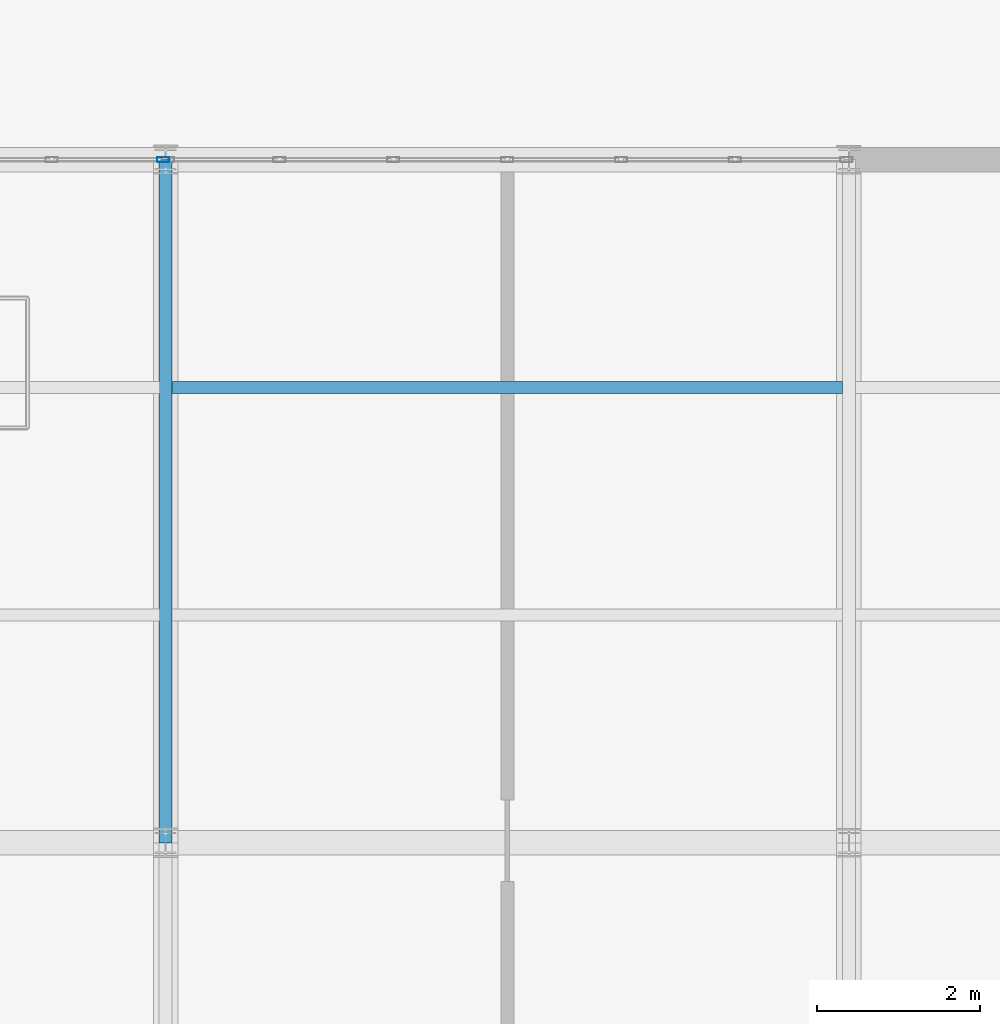
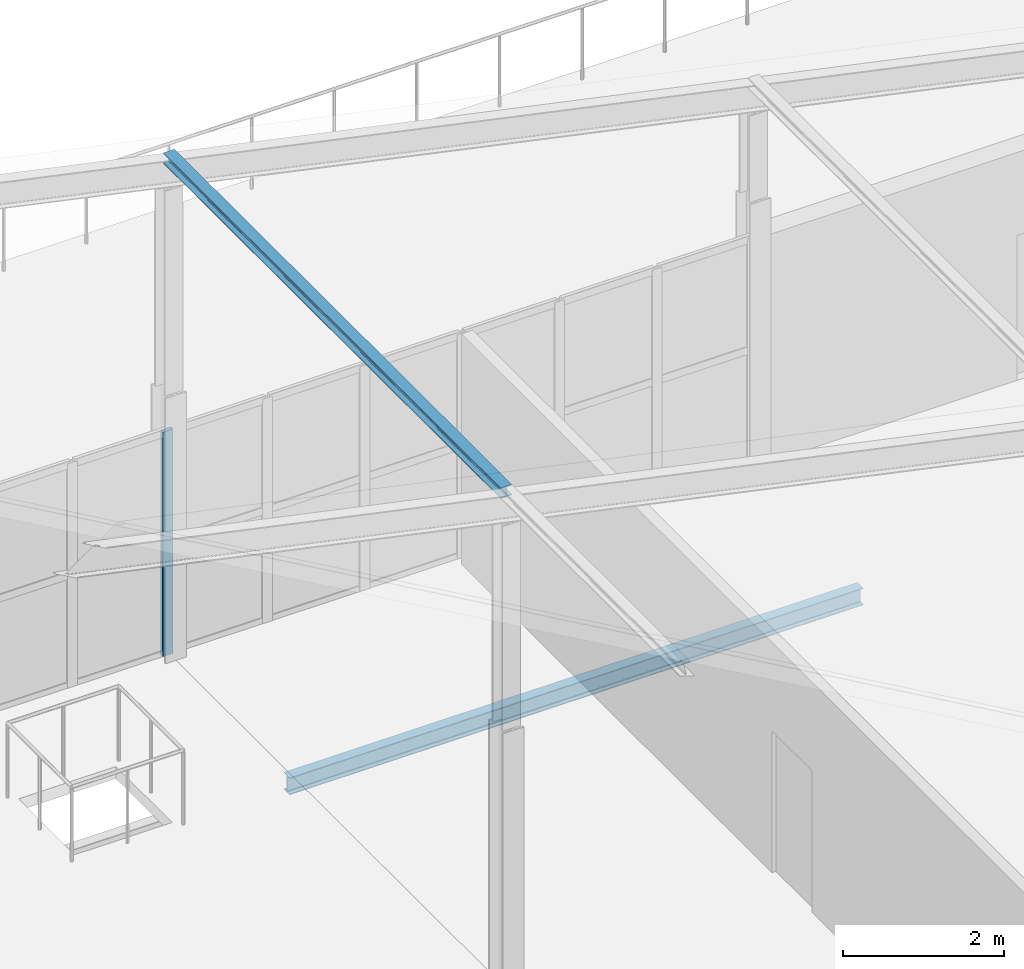
# One storey, part 109 of 184: 2 members, 1 beam, 1 element without a shape of its own.
"""IFC4 building model written with IfcOpenShell, lengths in metres."""

from ifc_helpers import new_model, si_unit, direction, frame, origin, origin_2d, place, context, subcontext, project, spatial, hollow_rectangle, i_section, extrude, material, layer, layer_set, material_profile, profile_set, type_object, element, aggregate, save


model = new_model("IFC4")

# Units and contexts
model_context = context("Model", 3, precision=1e-05, world=origin(), true_north=direction((0.0, 1.0)))
body_context = subcontext(model_context, "Body", "Model", "MODEL_VIEW")
ifc_project = project(units=[si_unit("LENGTHUNIT", "METRE"), si_unit("AREAUNIT", "SQUARE_METRE"), si_unit("VOLUMEUNIT", "CUBIC_METRE"), si_unit("PLANEANGLEUNIT", "RADIAN"), si_unit("MASSUNIT", "GRAM", prefix="KILO")], contexts=[model_context])

# Site, building, storey
site_placement = place(None, origin())
site = spatial("IfcSite", under=ifc_project, at=site_placement, CompositionType="ELEMENT")
building_placement = place(site_placement, origin())
building = spatial("IfcBuilding", under=site, at=building_placement, Name="Qalvenar Corner Mobility Hub", CompositionType="ELEMENT")
storey_placement = place(building_placement, frame((0.0, 0.0, 9.0)))
storey = spatial("IfcBuildingStorey", under=building, at=storey_placement, Name="L02", CompositionType="ELEMENT", Elevation=9.0)

# Beam
ifc_material_1 = material(Name="Steel S355", Category="steel")
ifc_material_profile_1 = material_profile(ifc_material_1, i_section(OverallWidth=0.14599609375, OverallDepth=0.258056640625, WebThickness=0.006103515625, FlangeThickness=0.009033203125, FilletRadius=0.011962890625, at=origin_2d()), Name="W250x32.7")
ifc_profile_set_1 = profile_set([ifc_material_profile_1], Name="Steel S355")
beam_type = type_object("IfcBeamType", Name="BM-JST250", PredefinedType="JOIST", material=ifc_profile_set_1)
beam_placement = place(storey_placement, frame((16.8779296875, 81.199951171875, -0.30908203125), z_axis=(1.0, 0.0, 0.0), x_axis=(0.0, 1.0, 0.0)))
element("IfcBeam", 1, at=beam_placement, inside=storey, type_object=beam_type, Name="Composite Floor Joist J-1891", PredefinedType="JOIST", context=body_context, shape_type="SweptSolid", body=[
    extrude(i_section(OverallWidth=0.14599609375, OverallDepth=0.258056640625, WebThickness=0.006103515625, FlangeThickness=0.009033203125, FilletRadius=0.011962890625, at=origin_2d()), origin(), (0.0, 0.0, 1.0), 8.244140625),
])

# Curtain wall, member
ifc_material_2 = material(Name="Anodised Aluminium and Low-E Glazing", Category="aluminium")
ifc_layer = layer(ifc_material_2, 0.14990234375)
ifc_layer_set = layer_set([ifc_layer], Name="Anodised Aluminium and Low-E Glazing")
curtain_wall_type = type_object("IfcCurtainWallType", Name="CW-CYC-84X39", PredefinedType="NOTDEFINED", material=ifc_layer_set)
curtain_wall_placement = place(storey_placement, origin())
curtain_wall = element("IfcCurtainWall", 2, at=curtain_wall_placement, inside=storey, type_object=curtain_wall_type, Name="Glazed Curtain Wall CW-V5-L02-N1", PredefinedType="NOTDEFINED")
ifc_material_3 = material(Name="Anodised Aluminium 6063-T6", Category="aluminium")
ifc_material_profile_2 = material_profile(ifc_material_3, hollow_rectangle(XDim=0.06005859375, YDim=0.14990234375, WallThickness=0.00390625, InnerFilletRadius=0.00390625, OuterFilletRadius=0.008056640625, at=origin_2d()), Name="RHS150x60x4")
ifc_profile_set_2 = profile_set([ifc_material_profile_2], Name="Anodised Aluminium 6063-T6")
member_type_1 = type_object("IfcMemberType", Name="CW-MUL150", PredefinedType="MULLION", material=ifc_profile_set_2)
member_1_placement = place(storey_placement, frame((16.77001953125, 84.0, 0.0), z_axis=(0.0, 0.0, 1.0), x_axis=(0.0, -1.0, 0.0)))
member_1 = element("IfcMember", 3, at=member_1_placement, type_object=member_type_1, Name="CW-08 mullion 1", PredefinedType="MULLION", context=body_context, shape_type="SweptSolid", body=[
    extrude(hollow_rectangle(XDim=0.06005859375, YDim=0.14990234375, WallThickness=0.00390625, InnerFilletRadius=0.00390625, OuterFilletRadius=0.008056640625, at=origin_2d()), origin(), (0.0, 0.0, 1.0), 3.409912109375),
])
aggregate(curtain_wall, [member_1])

# Member
ifc_material_profile_3 = material_profile(ifc_material_1, i_section(OverallWidth=0.159912109375, OverallDepth=0.159912109375, WebThickness=0.008056640625, FlangeThickness=0.012939453125, FilletRadius=0.014892578125, at=origin_2d()), Name="HEB160")
ifc_profile_set_3 = profile_set([ifc_material_profile_3], Name="Steel S355")
member_type_2 = type_object("IfcMemberType", Name="PR-RHS160", PredefinedType="PURLIN", material=ifc_profile_set_3)
member_2_placement = place(storey_placement, frame((16.800048828125, 75.60009765625, 7.550048828125), z_axis=(0.0, 1.0, 0.0), x_axis=(-1.0, 0.0, 0.0)))
element("IfcMember", 4, at=member_2_placement, inside=storey, type_object=member_type_2, Name="Bicycle Hall Roof Purlin PR-V5-5-16", PredefinedType="PURLIN", context=body_context, shape_type="SweptSolid", body=[
    extrude(i_section(OverallWidth=0.159912109375, OverallDepth=0.159912109375, WebThickness=0.008056640625, FlangeThickness=0.012939453125, FilletRadius=0.014892578125, at=origin_2d()), origin(), (0.0, 0.0, 1.0), 8.39990234375),
])

save(model, "model.ifc")
